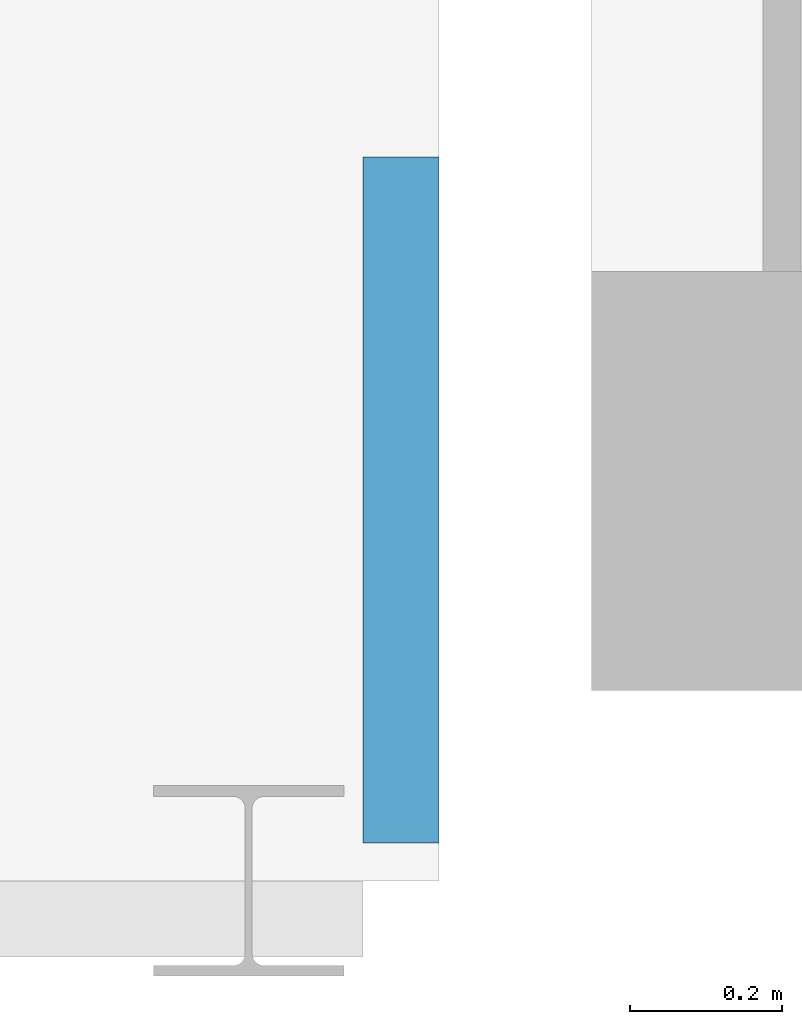
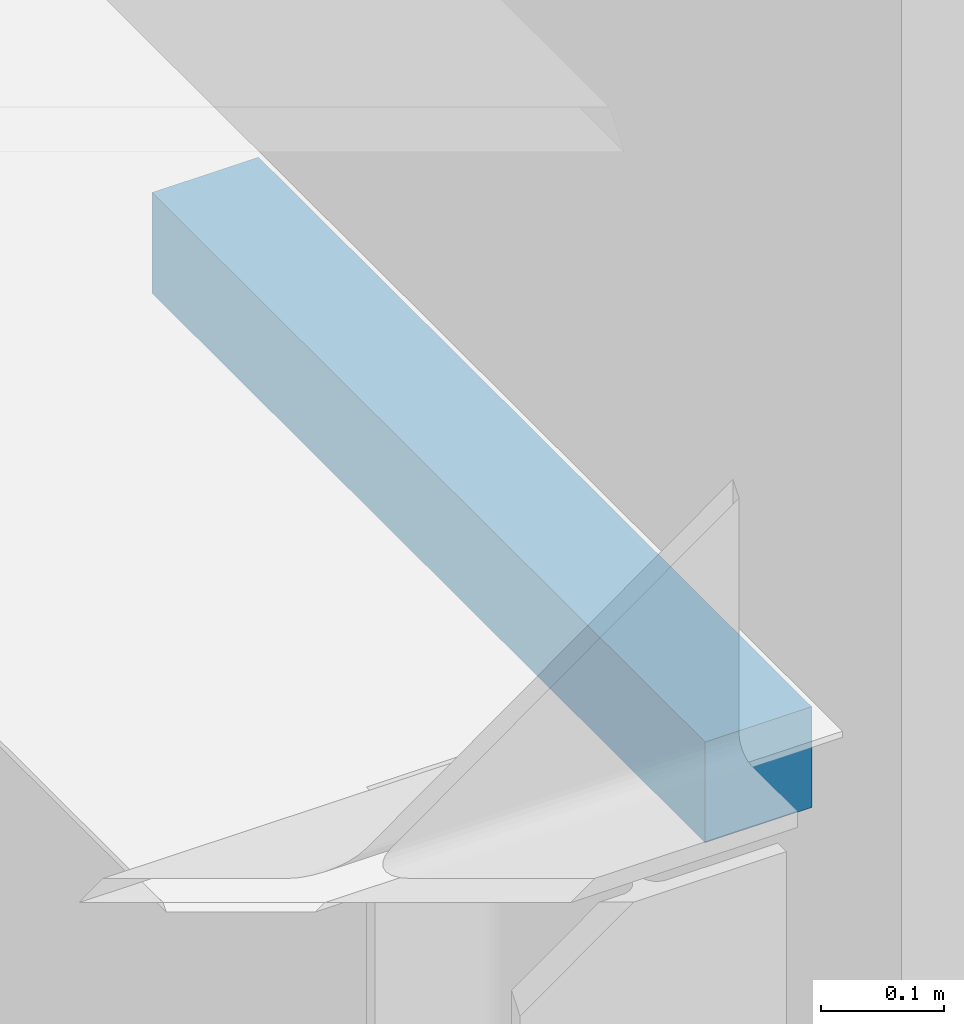
# One storey, part 60 of 71: 1 discrete accessory.
"""IFC4 building model written with IfcOpenShell, lengths in metres."""

from ifc_helpers import new_model, si_unit, direction, frame, origin, origin_2d, place, context, subcontext, project, spatial, rectangle, extrude, material, type_object, element, save


model = new_model("IFC4")

# Units and contexts
model_context = context("Model", 3, precision=1e-05, world=origin(), true_north=direction((0.0, 1.0)))
body_context = subcontext(model_context, "Body", "Model", "MODEL_VIEW")
ifc_project = project(units=[si_unit("LENGTHUNIT", "METRE"), si_unit("AREAUNIT", "SQUARE_METRE"), si_unit("VOLUMEUNIT", "CUBIC_METRE"), si_unit("PLANEANGLEUNIT", "RADIAN"), si_unit("MASSUNIT", "GRAM", prefix="KILO")], contexts=[model_context])

# Site, building, storey
site_placement = place(None, origin())
site = spatial("IfcSite", under=ifc_project, at=site_placement, CompositionType="ELEMENT")
building_placement = place(site_placement, origin())
building = spatial("IfcBuilding", under=site, at=building_placement, Name="Basin Gate Institute", CompositionType="ELEMENT")
storey_placement = place(building_placement, origin())
storey = spatial("IfcBuildingStorey", under=building, at=storey_placement, Name="L00", CompositionType="ELEMENT", Elevation=0.0)

# Discrete accessory
ifc_material = material(Name="Galvanised steel angle", Category="steel")
discrete_accessory_type = type_object("IfcDiscreteAccessoryType", Name="Passage joint bracket JB2", PredefinedType="BRACKET", material=ifc_material)
discrete_accessory_placement = place(storey_placement, frame((60.699951171875, 35.10009765625, 4.69384765625), z_axis=(0.0, 0.0, 1.0), x_axis=(1.0, 0.0, 0.0)))
element("IfcDiscreteAccessory", 1, at=discrete_accessory_placement, inside=storey, type_object=discrete_accessory_type, material=ifc_material, Name="West court passage joint bracket 2", PredefinedType="BRACKET", context=body_context, shape_type="SweptSolid", body=[
    extrude(rectangle(XDim=0.10009765625, YDim=0.89990234375, at=origin_2d()), origin(), (0.0, 0.0, 1.0), 0.10009765625),
])

save(model, "model.ifc")
